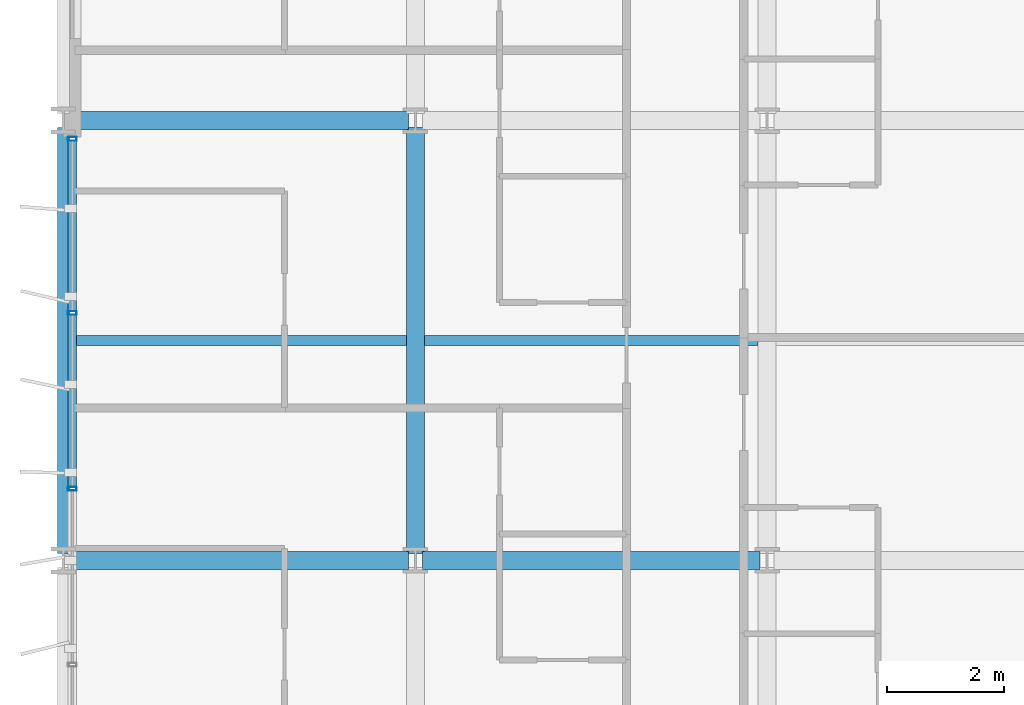
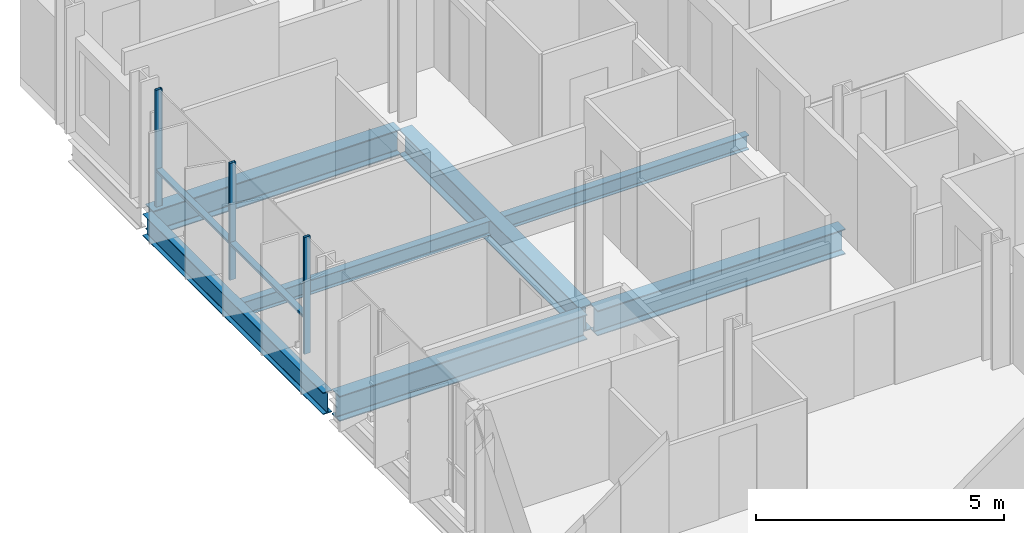
# One storey, part 5 of 39: 7 beams, 5 members, 1 element without a shape of its own.
"""IFC4 building model written with IfcOpenShell, lengths in metres."""

from ifc_helpers import new_model, si_unit, direction, frame, origin, origin_2d, place, context, subcontext, project, spatial, hollow_rectangle, i_section, extrude, material, layer, layer_set, material_profile, profile_set, type_object, element, aggregate, save


model = new_model("IFC4")

# Units and contexts
model_context = context("Model", 3, precision=1e-05, world=origin(), true_north=direction((0.0, 1.0)))
body_context = subcontext(model_context, "Body", "Model", "MODEL_VIEW")
ifc_project = project(units=[si_unit("LENGTHUNIT", "METRE"), si_unit("AREAUNIT", "SQUARE_METRE"), si_unit("VOLUMEUNIT", "CUBIC_METRE"), si_unit("PLANEANGLEUNIT", "RADIAN"), si_unit("MASSUNIT", "GRAM", prefix="KILO")], contexts=[model_context])

# Site, building, storey
site_placement = place(None, origin())
site = spatial("IfcSite", under=ifc_project, at=site_placement, CompositionType="ELEMENT")
building_placement = place(site_placement, origin())
building = spatial("IfcBuilding", under=site, at=building_placement, Name="Brevholm Reach", CompositionType="ELEMENT")
storey_placement = place(building_placement, frame((0.0, 0.0, 90.0)))
storey = spatial("IfcBuildingStorey", under=building, at=storey_placement, Name="L26", CompositionType="ELEMENT", Elevation=90.0)

# Beams
ifc_material_1 = material(Name="Structural Steel S355J2", Category="steel")
ifc_material_profile_1 = material_profile(ifc_material_1, i_section(OverallWidth=0.17138671875, OverallDepth=0.35498046875, WebThickness=0.00732421875, FlangeThickness=0.011474609375, FilletRadius=0.01025390625, at=origin_2d()), Name="UKB 356x171x51")
ifc_profile_set_1 = profile_set([ifc_material_profile_1], Name="Structural Steel S355J2")
beam_type_1 = type_object("IfcBeamType", Name="BM-B356", PredefinedType="BEAM", material=ifc_profile_set_1)
beam_1_placement = place(storey_placement, frame((0.10546875, 19.75, -0.407470703125), z_axis=(1.0, 0.0, 0.0), x_axis=(0.0, 1.0, 0.0)))
element("IfcBeam", 1, at=beam_1_placement, inside=storey, type_object=beam_type_1, Name="L26 Composite Secondary Floor Beam", PredefinedType="BEAM", context=body_context, shape_type="SweptSolid", body=[
    extrude(i_section(OverallWidth=0.17138671875, OverallDepth=0.35498046875, WebThickness=0.00732421875, FlangeThickness=0.011474609375, FilletRadius=0.01025390625, at=origin_2d()), origin(), (0.0, 0.0, 1.0), 5.740966796875),
])
beam_2_placement = place(storey_placement, frame((6.153564453125, 19.75, -0.407470703125), z_axis=(1.0, 0.0, 0.0), x_axis=(0.0, 1.0, 0.0)))
element("IfcBeam", 2, at=beam_2_placement, inside=storey, type_object=beam_type_1, Name="L26 Composite Secondary Floor Beam", PredefinedType="BEAM", context=body_context, shape_type="SweptSolid", body=[
    extrude(i_section(OverallWidth=0.17138671875, OverallDepth=0.35498046875, WebThickness=0.00732421875, FlangeThickness=0.011474609375, FilletRadius=0.01025390625, at=origin_2d()), origin(), (0.0, 0.0, 1.0), 5.69287109375),
])
ifc_material_2 = material(Name="Structural Steel S355J2", Category="steel")
ifc_material_profile_2 = material_profile(ifc_material_2, i_section(OverallWidth=0.210693359375, OverallDepth=0.53955078125, WebThickness=0.01171875, FlangeThickness=0.018798828125, FilletRadius=0.0126953125, at=origin_2d()), Name="UKB 533x210x109")
ifc_profile_set_2 = profile_set([ifc_material_profile_2], Name="Structural Steel S355J2")
beam_type_2 = type_object("IfcBeamType", Name="BM-SP539", PredefinedType="SPANDREL", material=ifc_profile_set_2)
beam_3_placement = place(storey_placement, frame((0.0, 16.1201171875, -0.499755859375), z_axis=(0.0, 1.0, 0.0), x_axis=(-1.0, 0.0, 0.0)))
element("IfcBeam", 3, at=beam_3_placement, inside=storey, type_object=beam_type_2, Name="L26 SP-01B Framing Beam", PredefinedType="SPANDREL", context=body_context, shape_type="SweptSolid", body=[
    extrude(i_section(OverallWidth=0.210693359375, OverallDepth=0.53955078125, WebThickness=0.01171875, FlangeThickness=0.018798828125, FilletRadius=0.0126953125, at=origin_2d()), origin(), (0.0, 0.0, 1.0), 7.259765625),
])
ifc_material_3 = material(Name="Structural Steel S355J2", Category="steel")
ifc_material_profile_3 = material_profile(ifc_material_3, i_section(OverallWidth=0.30712890625, OverallDepth=0.6201171875, WebThickness=0.01416015625, FlangeThickness=0.023681640625, FilletRadius=0.0166015625, at=origin_2d()), Name="UKB 610x305x179")
ifc_profile_set_3 = profile_set([ifc_material_profile_3], Name="Structural Steel S355J2")
beam_type_3 = type_object("IfcBeamType", Name="BM-UKB610H", PredefinedType="USERDEFINED", material=ifc_profile_set_3)
for number, where, z_axis, x_axis, name in (
    (4, (0.1201171875, 16.0, -0.5400390625), (1.0, 0.0, 0.0), (0.0, 1.0, 0.0), "L26 G-06 Framing Beam"),
    (5, (6.1201171875, 16.0, -0.5400390625), (1.0, 0.0, 0.0), (0.0, 1.0, 0.0), "L26 G-06 Framing Beam"),
    (6, (0.1201171875, 23.5, -0.5400390625), (1.0, 0.0, 0.0), (0.0, 1.0, 0.0), "L26 G-06 Framing Beam"),
):
    element("IfcBeam", number, at=place(storey_placement, frame(where, z_axis=z_axis, x_axis=x_axis)), inside=storey, type_object=beam_type_3, Name=name, ObjectType="GIRDER", PredefinedType="USERDEFINED", context=body_context, shape_type="SweptSolid", body=[
        extrude(i_section(OverallWidth=0.30712890625, OverallDepth=0.6201171875, WebThickness=0.01416015625, FlangeThickness=0.023681640625, FilletRadius=0.0166015625, at=origin_2d()), origin(), (0.0, 0.0, 1.0), 5.759765625),
    ])
beam_4_placement = place(storey_placement, frame((6.0, 16.1201171875, -0.5400390625), z_axis=(0.0, 1.0, 0.0), x_axis=(-1.0, 0.0, 0.0)))
element("IfcBeam", 7, at=beam_4_placement, inside=storey, type_object=beam_type_3, Name="L26 G-06 Framing Beam", ObjectType="GIRDER", PredefinedType="USERDEFINED", context=body_context, shape_type="SweptSolid", body=[
    extrude(i_section(OverallWidth=0.30712890625, OverallDepth=0.6201171875, WebThickness=0.01416015625, FlangeThickness=0.023681640625, FilletRadius=0.0166015625, at=origin_2d()), origin(), (0.0, 0.0, 1.0), 7.259765625),
])

# Curtain wall, members
ifc_material_4 = material(Name="Dark Anodised Aluminium 6063-T6 and Solar-Control Glass", Category="aluminium")
ifc_layer = layer(ifc_material_4, 0.14990234375)
ifc_layer_set = layer_set([ifc_layer], Name="Dark Anodised Aluminium 6063-T6 and Solar-Control Glass")
curtain_wall_type = type_object("IfcCurtainWallType", Name="CW-01", PredefinedType="NOTDEFINED", material=ifc_layer_set)
curtain_wall_placement = place(storey_placement, origin())
curtain_wall = element("IfcCurtainWall", 8, at=curtain_wall_placement, inside=storey, type_object=curtain_wall_type, Name="L26 Curtain Wall CW-01", PredefinedType="NOTDEFINED")
ifc_material_5 = material(Name="Dark Anodised Aluminium 6063-T6", Category="aluminium")
ifc_material_profile_4 = material_profile(ifc_material_5, hollow_rectangle(XDim=0.06494140625, YDim=0.14990234375, WallThickness=0.0048828125, InnerFilletRadius=0.0048828125, OuterFilletRadius=0.010009765625, at=origin_2d()), Name="RHS 150x65x5")
ifc_profile_set_4 = profile_set([ifc_material_profile_4], Name="Dark Anodised Aluminium 6063-T6")
member_type_1 = type_object("IfcMemberType", Name="CWM-150", PredefinedType="MULLION", material=ifc_profile_set_4)
member_1_placement = place(storey_placement, frame((0.14990234375, 23.1875, 0.0), z_axis=(0.0, 0.0, 1.0), x_axis=(0.0, -1.0, 0.0)))
member_1 = element("IfcMember", 9, at=member_1_placement, type_object=member_type_1, Name="CM-150 Mullion 1", PredefinedType="MULLION", context=body_context, shape_type="SweptSolid", body=[
    extrude(hollow_rectangle(XDim=0.06494140625, YDim=0.14990234375, WallThickness=0.0048828125, InnerFilletRadius=0.0048828125, OuterFilletRadius=0.010009765625, at=origin_2d()), origin(), (0.0, 0.0, 1.0), 2.8701171875),
])
member_2_placement = place(storey_placement, frame((0.14990234375, 20.219970703125, 0.0), z_axis=(0.0, 0.0, 1.0), x_axis=(0.0, -1.0, 0.0)))
member_2 = element("IfcMember", 10, at=member_2_placement, type_object=member_type_1, Name="CM-150 Mullion 2", PredefinedType="MULLION", context=body_context, shape_type="SweptSolid", body=[
    extrude(hollow_rectangle(XDim=0.06494140625, YDim=0.14990234375, WallThickness=0.0048828125, InnerFilletRadius=0.0048828125, OuterFilletRadius=0.010009765625, at=origin_2d()), origin(), (0.0, 0.0, 1.0), 2.8701171875),
])
member_3_placement = place(storey_placement, frame((0.14990234375, 17.219970703125, 0.0), z_axis=(0.0, 0.0, 1.0), x_axis=(0.0, -1.0, 0.0)))
member_3 = element("IfcMember", 11, at=member_3_placement, type_object=member_type_1, Name="CM-150 Mullion 3", PredefinedType="MULLION", context=body_context, shape_type="SweptSolid", body=[
    extrude(hollow_rectangle(XDim=0.06494140625, YDim=0.14990234375, WallThickness=0.0048828125, InnerFilletRadius=0.0048828125, OuterFilletRadius=0.010009765625, at=origin_2d()), origin(), (0.0, 0.0, 1.0), 2.8701171875),
])
ifc_material_6 = material(Name="Dark Anodised Aluminium 6063-T6", Category="aluminium")
ifc_material_profile_5 = material_profile(ifc_material_6, hollow_rectangle(XDim=0.06494140625, YDim=0.14990234375, WallThickness=0.0048828125, InnerFilletRadius=0.0048828125, OuterFilletRadius=0.010009765625, at=origin_2d()), Name="RHS 150x65x5")
ifc_profile_set_5 = profile_set([ifc_material_profile_5], Name="Dark Anodised Aluminium 6063-T6")
member_type_2 = type_object("IfcMemberType", Name="CWT-150", PredefinedType="NOTDEFINED", material=ifc_profile_set_5)
member_4_placement = place(storey_placement, frame((0.14990234375, 23.155029296875, 0.89990234375), z_axis=(0.0, -1.0, 0.0), x_axis=(0.0, 0.0, 1.0)))
member_4 = element("IfcMember", 12, at=member_4_placement, type_object=member_type_2, Name="CT-150 Transom 1.1", ObjectType="TRANSOM", PredefinedType="USERDEFINED", context=body_context, shape_type="SweptSolid", body=[
    extrude(hollow_rectangle(XDim=0.06494140625, YDim=0.14990234375, WallThickness=0.0048828125, InnerFilletRadius=0.0048828125, OuterFilletRadius=0.010009765625, at=origin_2d()), origin(), (0.0, 0.0, 1.0), 2.902587890625),
])
member_5_placement = place(storey_placement, frame((0.14990234375, 20.1875, 0.89990234375), z_axis=(0.0, -1.0, 0.0), x_axis=(0.0, 0.0, 1.0)))
member_5 = element("IfcMember", 13, at=member_5_placement, type_object=member_type_2, Name="CT-150 Transom 2.1", ObjectType="TRANSOM", PredefinedType="USERDEFINED", context=body_context, shape_type="SweptSolid", body=[
    extrude(hollow_rectangle(XDim=0.06494140625, YDim=0.14990234375, WallThickness=0.0048828125, InnerFilletRadius=0.0048828125, OuterFilletRadius=0.010009765625, at=origin_2d()), origin(), (0.0, 0.0, 1.0), 2.93505859375),
])
aggregate(curtain_wall, [member_1, member_2, member_3, member_4, member_5])

save(model, "model.ifc")
